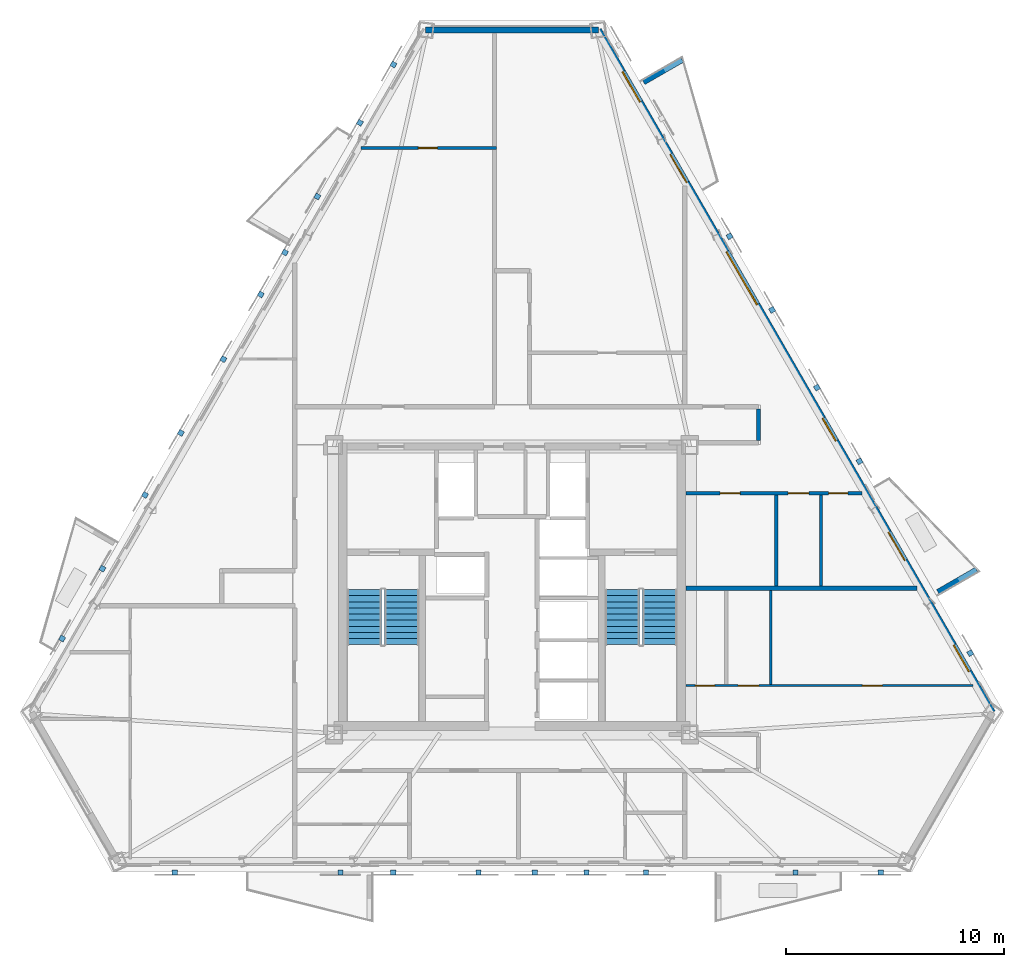
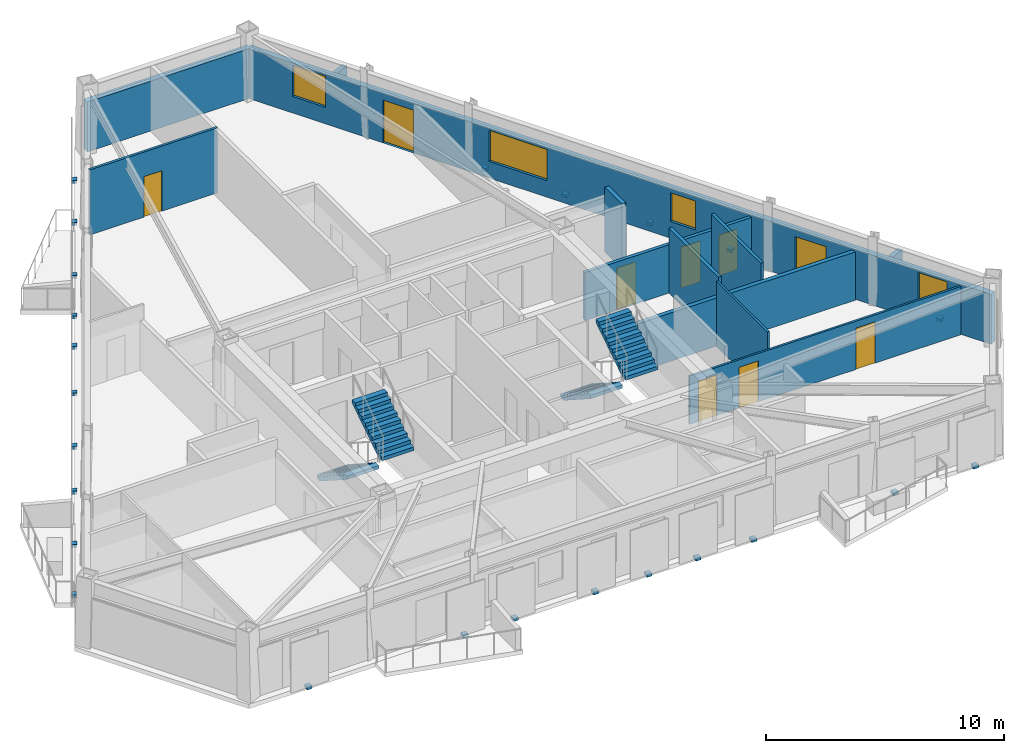
# One storey, part 5 of 9: 24 discrete accessories, 12 walls, 9 doors, 4 stair flights, 4 windows, 13 openings, 2 elements without a shape of their own.
"""IFC4 building model written with IfcOpenShell, lengths in metres."""

from ifc_helpers import new_model, si_unit, direction, frame, frame_2d, origin, origin_2d, place, context, subcontext, project, spatial, polyline, rectangle, outline, extrude, material, layer, layer_set, type_object, element, fill, aggregate, save


model = new_model("IFC4")

# Units and contexts
model_context = context("Model", 3, precision=1e-05, world=origin(), true_north=direction((0.0, 1.0)))
body_context = subcontext(model_context, "Body", "Model", "MODEL_VIEW")
ifc_project = project(units=[si_unit("LENGTHUNIT", "METRE"), si_unit("AREAUNIT", "SQUARE_METRE"), si_unit("VOLUMEUNIT", "CUBIC_METRE"), si_unit("PLANEANGLEUNIT", "RADIAN"), si_unit("MASSUNIT", "GRAM", prefix="KILO")], contexts=[model_context])

# Site, building, storey
site_placement = place(None, origin())
site = spatial("IfcSite", under=ifc_project, at=site_placement, CompositionType="ELEMENT")
building_placement = place(site_placement, origin())
building = spatial("IfcBuilding", under=site, at=building_placement, Name="Oramaril Tower", CompositionType="ELEMENT")
storey_placement = place(building_placement, frame((0.0, 0.0, 185.39990234375)))
storey = spatial("IfcBuildingStorey", under=building, at=storey_placement, Name="L49", CompositionType="ELEMENT", Elevation=185.39990234375)

# Wall, openings, doors, windows
ifc_material_1 = material(Name="Warm Cream Limestone", Category="masonry")
ifc_layer_1 = layer(ifc_material_1, 0.2900390625)
ifc_layer_set_1 = layer_set([ifc_layer_1], Name="WT-EXT29")
wall_type_1 = type_object("IfcWallType", Name="WT-EXT29", PredefinedType="SOLIDWALL", material=ifc_layer_set_1)
wall_1_placement = place(storey_placement, frame((59.518798828125, 11.961669921875, 0.0), z_axis=(0.0, 0.0, 1.0), x_axis=(-0.500007042689, 0.866021337648, 0.0)))
wall_1 = element("IfcWall", 1, at=wall_1_placement, inside=storey, type_object=wall_type_1, Name="L49 Tower Limestone Facade Wall 4M", PredefinedType="SOLIDWALL", context=body_context, shape_type="SweptSolid", body=[
    extrude(rectangle(XDim=36.11474609375, YDim=0.2900390625, at=frame_2d((18.057373046875, 0.0))), origin(), (0.0, 0.0, 1.0), 2.56005859375),
])
opening_1_placement = place(wall_1_placement, frame((8.034423828125, 0.0, 0.0)))
opening_1 = element("IfcOpeningElement", 2, at=opening_1_placement, cuts=wall_1, Name="Opening D-L49-BAL-NE1", PredefinedType="OPENING", context=body_context, shape_type="SweptSolid", body=[
    extrude(rectangle(XDim=1.5, YDim=2.199951171875, at=frame_2d((0.75, 1.10009765625))), frame((0.0, 0.14501953125, 0.0), z_axis=(0.0, -1.0, 0.0), x_axis=(1.0, 0.0, 0.0)), (0.0, 0.0, 1.0), 0.2900390625),
])
opening_2_placement = place(wall_1_placement, frame((28.035400390625, 0.0, 0.0)))
opening_2 = element("IfcOpeningElement", 3, at=opening_2_placement, cuts=wall_1, Name="Opening D-L49-BAL-NE2", PredefinedType="OPENING", context=body_context, shape_type="SweptSolid", body=[
    extrude(rectangle(XDim=1.5, YDim=2.199951171875, at=frame_2d((0.75, 1.10009765625))), frame((0.0, 0.14501953125, 0.0), z_axis=(0.0, -1.0, 0.0), x_axis=(1.0, 0.0, 0.0)), (0.0, 0.0, 1.0), 0.2900390625),
])
opening_3_placement = place(wall_1_placement, frame((2.160400390625, 0.0, 0.85009765625)))
opening_3 = element("IfcOpeningElement", 4, at=opening_3_placement, cuts=wall_1, Name="Opening WN-08", PredefinedType="OPENING", context=body_context, shape_type="SweptSolid", body=[
    extrude(rectangle(XDim=1.39990234375, YDim=1.60009765625, at=frame_2d((0.699951171875, 0.800048828125))), frame((0.0, 0.14501953125, 0.0), z_axis=(0.0, -1.0, 0.0), x_axis=(1.0, 0.0, 0.0)), (0.0, 0.0, 1.0), 0.2900390625),
])
opening_4_placement = place(wall_1_placement, frame((14.362548828125, 0.0, 0.85009765625)))
opening_4 = element("IfcOpeningElement", 5, at=opening_4_placement, cuts=wall_1, Name="Opening WN-09", PredefinedType="OPENING", context=body_context, shape_type="SweptSolid", body=[
    extrude(rectangle(XDim=1.199951171875, YDim=1.47998046875, at=frame_2d((0.60009765625, 0.739990234375))), frame((0.0, 0.14501953125, 0.0), z_axis=(0.0, -1.0, 0.0), x_axis=(1.0, 0.0, 0.0)), (0.0, 0.0, 1.0), 0.2900390625),
])
opening_5_placement = place(wall_1_placement, frame((21.57373046875, 0.0, 0.85009765625)))
opening_5 = element("IfcOpeningElement", 6, at=opening_5_placement, cuts=wall_1, Name="Opening WN-01", PredefinedType="OPENING", context=body_context, shape_type="SweptSolid", body=[
    extrude(rectangle(XDim=2.800048828125, YDim=1.60009765625, at=frame_2d((1.39990234375, 0.800048828125))), frame((0.0, 0.14501953125, 0.0), z_axis=(0.0, -1.0, 0.0), x_axis=(1.0, 0.0, 0.0)), (0.0, 0.0, 1.0), 0.2900390625),
])
opening_6_placement = place(wall_1_placement, frame((32.304443359375, 0.0, 0.85009765625)))
opening_6 = element("IfcOpeningElement", 7, at=opening_6_placement, cuts=wall_1, Name="Opening WN-07", PredefinedType="OPENING", context=body_context, shape_type="SweptSolid", body=[
    extrude(rectangle(XDim=1.60009765625, YDim=1.60009765625, at=frame_2d((0.800048828125, 0.800048828125))), frame((0.0, 0.14501953125, 0.0), z_axis=(0.0, -1.0, 0.0), x_axis=(1.0, 0.0, 0.0)), (0.0, 0.0, 1.0), 0.2900390625),
])
ifc_material_2 = material(Name="Anodised Aluminium 6063-T6", Category="aluminium")
door_type_1 = type_object("IfcDoorType", Name="DT-BAL", OperationType="NOTDEFINED", PredefinedType="DOOR", material=ifc_material_2)
door_1_placement = place(opening_1_placement, origin())
door_1 = element("IfcDoor", 8, at=door_1_placement, inside=storey, type_object=door_type_1, Name="L49 Balcony Glazed Door L49-BAL-NE1", OperationType="SINGLE_SWING_RIGHT", OverallHeight=2.199951171875, OverallWidth=1.5, PredefinedType="DOOR", context=body_context, shape_type="SweptSolid", body=[
    extrude(rectangle(XDim=1.5, YDim=2.199951171875, at=frame_2d((0.75, 1.10009765625))), frame((0.0, 0.02490234375, 0.0), z_axis=(0.0, -1.0, 0.0), x_axis=(1.0, 0.0, 0.0)), (0.0, 0.0, 1.0), 0.050048828125),
])
fill(opening_1, door_1)
door_2_placement = place(opening_2_placement, origin())
door_2 = element("IfcDoor", 9, at=door_2_placement, inside=storey, type_object=door_type_1, Name="L49 Balcony Glazed Door L49-BAL-NE2", OperationType="SINGLE_SWING_LEFT", OverallHeight=2.199951171875, OverallWidth=1.5, PredefinedType="DOOR", context=body_context, shape_type="SweptSolid", body=[
    extrude(rectangle(XDim=1.5, YDim=2.199951171875, at=frame_2d((0.75, 1.10009765625))), frame((0.0, 0.02490234375, 0.0), z_axis=(0.0, -1.0, 0.0), x_axis=(1.0, 0.0, 0.0)), (0.0, 0.0, 1.0), 0.050048828125),
])
fill(opening_2, door_2)
ifc_material_3 = material(Name="Coastal Low-E Insulated Glass", Category="glass")
window_type_1 = type_object("IfcWindowType", Name="WNT-01", PartitioningType="SINGLE_PANEL", PredefinedType="WINDOW", material=ifc_material_3)
window_1_placement = place(opening_5_placement, origin())
window_1 = element("IfcWindow", 10, at=window_1_placement, inside=storey, type_object=window_type_1, Name="L49 Chicago Bay Window WN-01", OverallHeight=1.60009765625, OverallWidth=2.800048828125, PartitioningType="SINGLE_PANEL", PredefinedType="WINDOW", context=body_context, shape_type="SweptSolid", body=[
    extrude(rectangle(XDim=2.800048828125, YDim=1.60009765625, at=frame_2d((1.39990234375, 0.800048828125))), frame((0.0, 0.030029296875, 0.0), z_axis=(0.0, -1.0, 0.0), x_axis=(1.0, 0.0, 0.0)), (0.0, 0.0, 1.0), 0.06005859375),
])
fill(opening_5, window_1)
ifc_material_4 = material(Name="Coastal Low-E Insulated Glass", Category="glass")
window_type_2 = type_object("IfcWindowType", Name="WNT-07", PartitioningType="SINGLE_PANEL", PredefinedType="WINDOW", material=ifc_material_4)
window_2_placement = place(opening_6_placement, origin())
window_2 = element("IfcWindow", 11, at=window_2_placement, inside=storey, type_object=window_type_2, Name="L49 Chicago Bay Window WN-07", OverallHeight=1.60009765625, OverallWidth=1.60009765625, PartitioningType="SINGLE_PANEL", PredefinedType="WINDOW", context=body_context, shape_type="SweptSolid", body=[
    extrude(rectangle(XDim=1.60009765625, YDim=1.60009765625, at=frame_2d((0.800048828125, 0.800048828125))), frame((0.0, 0.030029296875, 0.0), z_axis=(0.0, -1.0, 0.0), x_axis=(1.0, 0.0, 0.0)), (0.0, 0.0, 1.0), 0.06005859375),
])
fill(opening_6, window_2)
ifc_material_5 = material(Name="Coastal Low-E Insulated Glass", Category="glass")
window_type_3 = type_object("IfcWindowType", Name="WNT-08", PartitioningType="SINGLE_PANEL", PredefinedType="WINDOW", material=ifc_material_5)
window_3_placement = place(opening_3_placement, origin())
window_3 = element("IfcWindow", 12, at=window_3_placement, inside=storey, type_object=window_type_3, Name="L49 Chicago Bay Window WN-08", OverallHeight=1.60009765625, OverallWidth=1.39990234375, PartitioningType="SINGLE_PANEL", PredefinedType="WINDOW", context=body_context, shape_type="SweptSolid", body=[
    extrude(rectangle(XDim=1.39990234375, YDim=1.60009765625, at=frame_2d((0.699951171875, 0.800048828125))), frame((0.0, 0.030029296875, 0.0), z_axis=(0.0, -1.0, 0.0), x_axis=(1.0, 0.0, 0.0)), (0.0, 0.0, 1.0), 0.06005859375),
])
fill(opening_3, window_3)
ifc_material_6 = material(Name="Coastal Low-E Insulated Glass", Category="glass")
window_type_4 = type_object("IfcWindowType", Name="WNT-09", PartitioningType="SINGLE_PANEL", PredefinedType="WINDOW", material=ifc_material_6)
window_4_placement = place(opening_4_placement, origin())
window_4 = element("IfcWindow", 13, at=window_4_placement, inside=storey, type_object=window_type_4, Name="L49 Chicago Bay Window WN-09", OverallHeight=1.47998046875, OverallWidth=1.199951171875, PartitioningType="SINGLE_PANEL", PredefinedType="WINDOW", context=body_context, shape_type="SweptSolid", body=[
    extrude(rectangle(XDim=1.199951171875, YDim=1.47998046875, at=frame_2d((0.60009765625, 0.739990234375))), frame((0.0, 0.030029296875, 0.0), z_axis=(0.0, -1.0, 0.0), x_axis=(1.0, 0.0, 0.0)), (0.0, 0.0, 1.0), 0.06005859375),
])
fill(opening_4, window_4)

# Walls
wall_2_placement = place(storey_placement, frame((41.461181640625, 43.23779296875, 0.0), z_axis=(0.0, 0.0, 1.0), x_axis=(-1.0, 0.0, 0.0)))
element("IfcWall", 14, at=wall_2_placement, inside=storey, type_object=wall_type_1, Name="L49 Tower Limestone Facade Wall 5M", PredefinedType="SOLIDWALL", context=body_context, shape_type="SweptSolid", body=[
    extrude(rectangle(XDim=7.92236328125, YDim=0.2900390625, at=frame_2d((3.961181640625, 0.0))), origin(), (0.0, 0.0, 1.0), 2.56005859375),
])
ifc_material_7 = material(Name="Concrete C40/50", Category="concrete")
ifc_layer_2 = layer(ifc_material_7, 0.22998046875)
ifc_layer_set_2 = layer_set([ifc_layer_2], Name="WT-PRP23")
wall_type_2 = type_object("IfcWallType", Name="WT-PRP23", PredefinedType="PARAPET", material=ifc_layer_set_2)
for number, where, z_axis, x_axis, name in (
    (15, (57.016845703125, 17.490966796875, 0.0), (0.0, 0.0, 1.0), (0.866042246008, 0.499970827278, 0.0), "L49 Trapezoidal Balcony Frame Cheek L49-BAL-NE1-L"),
    (16, (43.536376953125, 40.839599609375, 0.0), (0.0, 0.0, 1.0), (0.866012356593, 0.500022597718, 0.0), "L49 Trapezoidal Balcony Frame Cheek L49-BAL-NE2-R"),
):
    element("IfcWall", number, at=place(storey_placement, frame(where, z_axis=z_axis, x_axis=x_axis)), inside=storey, type_object=wall_type_2, Name=name, PredefinedType="PARAPET", context=body_context, shape_type="SweptSolid", body=[
        extrude(outline(polyline([(0.0, 0.0), (2.0419921875, 0.0), (2.0419921875, 1.10009765625), (0.0, 1.320068359375), (0.0, 0.0)])), frame((0.0, 0.114990234375, 0.0), z_axis=(0.0, -1.0, 0.0), x_axis=(1.0, 0.0, 0.0)), (0.0, 0.0, 1.0), 0.22998046875),
    ])

# Wall, openings, doors
ifc_material_8 = material(Name="Acoustic Gypsum Board Partition")
ifc_layer_3 = layer(ifc_material_8, 0.10009765625)
ifc_layer_set_3 = layer_set([ifc_layer_3], Name="WT-PT10")
wall_type_3 = type_object("IfcWallType", Name="WT-PT10", PredefinedType="PARTITIONING", material=ifc_layer_set_3)
wall_3_placement = place(storey_placement, frame((45.464111328125, 13.18994140625, 0.0), z_axis=(0.0, 0.0, 1.0), x_axis=(1.0, 0.0, 0.0)))
wall_3 = element("IfcWall", 17, at=wall_3_placement, inside=storey, type_object=wall_type_3, Name="L49 Interior Partition PT-10", PredefinedType="PARTITIONING", context=body_context, shape_type="SweptSolid", body=[
    extrude(rectangle(XDim=13.17333984375, YDim=0.10009765625, at=frame_2d((6.586669921875, 0.0))), origin(), (0.0, 0.0, 1.0), 2.47998046875),
])
opening_7_placement = place(wall_3_placement, frame((0.446044921875, 0.0, 0.0)))
opening_7 = element("IfcOpeningElement", 18, at=opening_7_placement, cuts=wall_3, Name="Opening D-L49-06", PredefinedType="OPENING", context=body_context, shape_type="SweptSolid", body=[
    extrude(rectangle(XDim=0.8798828125, YDim=2.080078125, at=frame_2d((0.43994140625, 1.0400390625))), frame((0.0, 0.050048828125, 0.0), z_axis=(0.0, -1.0, 0.0), x_axis=(1.0, 0.0, 0.0)), (0.0, 0.0, 1.0), 0.10009765625),
])
opening_8_placement = place(wall_3_placement, frame((2.39599609375, 0.0, 0.0)))
opening_8 = element("IfcOpeningElement", 19, at=opening_8_placement, cuts=wall_3, Name="Opening D-L49-07", PredefinedType="OPENING", context=body_context, shape_type="SweptSolid", body=[
    extrude(rectangle(XDim=0.949951171875, YDim=2.10009765625, at=frame_2d((0.47509765625, 1.050048828125))), frame((0.0, 0.050048828125, 0.0), z_axis=(0.0, -1.0, 0.0), x_axis=(1.0, 0.0, 0.0)), (0.0, 0.0, 1.0), 0.10009765625),
])
opening_9_placement = place(wall_3_placement, frame((8.09033203125, 0.0, 0.0)))
opening_9 = element("IfcOpeningElement", 20, at=opening_9_placement, cuts=wall_3, Name="Opening D-L49-08", PredefinedType="OPENING", context=body_context, shape_type="SweptSolid", body=[
    extrude(rectangle(XDim=0.919921875, YDim=2.1201171875, at=frame_2d((0.4599609375, 1.06005859375))), frame((0.0, 0.050048828125, 0.0), z_axis=(0.0, -1.0, 0.0), x_axis=(1.0, 0.0, 0.0)), (0.0, 0.0, 1.0), 0.10009765625),
])
ifc_material_9 = material(Name="FSC Brazilian Freijo Hardwood", Category="wood")
door_type_2 = type_object("IfcDoorType", Name="DT-BATH", OperationType="NOTDEFINED", PredefinedType="DOOR", material=ifc_material_9)
door_3_placement = place(opening_7_placement, origin())
door_3 = element("IfcDoor", 21, at=door_3_placement, inside=storey, type_object=door_type_2, Name="L49 Flat L49-U5 Bathroom Door D-L49-06", OperationType="SINGLE_SWING_LEFT", OverallHeight=2.080078125, OverallWidth=0.8798828125, PredefinedType="DOOR", context=body_context, shape_type="SweptSolid", body=[
    extrude(rectangle(XDim=0.8798828125, YDim=2.080078125, at=frame_2d((0.43994140625, 1.0400390625))), frame((0.0, 0.02490234375, 0.0), z_axis=(0.0, -1.0, 0.0), x_axis=(1.0, 0.0, 0.0)), (0.0, 0.0, 1.0), 0.050048828125),
])
fill(opening_7, door_3)
ifc_material_10 = material(Name="FSC Brazilian Freijo Hardwood", Category="wood")
door_type_3 = type_object("IfcDoorType", Name="DT-BED", OperationType="NOTDEFINED", PredefinedType="DOOR", material=ifc_material_10)
door_4_placement = place(opening_9_placement, origin())
door_4 = element("IfcDoor", 22, at=door_4_placement, inside=storey, type_object=door_type_3, Name="L49 Flat L49-U5 Master Bedroom Door D-L49-08", OperationType="SINGLE_SWING_LEFT", OverallHeight=2.1201171875, OverallWidth=0.919921875, PredefinedType="DOOR", context=body_context, shape_type="SweptSolid", body=[
    extrude(rectangle(XDim=0.919921875, YDim=2.1201171875, at=frame_2d((0.4599609375, 1.06005859375))), frame((0.0, 0.02490234375, 0.0), z_axis=(0.0, -1.0, 0.0), x_axis=(1.0, 0.0, 0.0)), (0.0, 0.0, 1.0), 0.050048828125),
])
fill(opening_9, door_4)
ifc_material_11 = material(Name="FSC Brazilian Freijo Hardwood", Category="wood")
door_type_4 = type_object("IfcDoorType", Name="DT-STDY", OperationType="NOTDEFINED", PredefinedType="DOOR", material=ifc_material_11)
door_5_placement = place(opening_8_placement, origin())
door_5 = element("IfcDoor", 23, at=door_5_placement, inside=storey, type_object=door_type_4, Name="L49 Flat L49-U5 Kitchen Door D-L49-07", OperationType="SINGLE_SWING_RIGHT", OverallHeight=2.10009765625, OverallWidth=0.949951171875, PredefinedType="DOOR", context=body_context, shape_type="SweptSolid", body=[
    extrude(rectangle(XDim=0.949951171875, YDim=2.10009765625, at=frame_2d((0.47509765625, 1.050048828125))), frame((0.0, 0.02490234375, 0.0), z_axis=(0.0, -1.0, 0.0), x_axis=(1.0, 0.0, 0.0)), (0.0, 0.0, 1.0), 0.050048828125),
])
fill(opening_8, door_5)

# Wall
wall_4_placement = place(storey_placement, frame((49.360107421875, 13.243896484375, 0.0), z_axis=(0.0, 0.0, 1.0), x_axis=(0.0, 1.0, 0.0)))
element("IfcWall", 24, at=wall_4_placement, inside=storey, type_object=wall_type_3, Name="L49 Interior Partition PT-10", PredefinedType="PARTITIONING", context=body_context, shape_type="SweptSolid", body=[
    extrude(rectangle(XDim=4.302001953125, YDim=0.10009765625, at=frame_2d((2.15087890625, 0.0))), origin(), (0.0, 0.0, 1.0), 3.340087890625),
])

# Wall, opening, door
ifc_material_12 = material(Name="Acoustic Gypsum Board Partition")
ifc_layer_4 = layer(ifc_material_12, 0.1201171875)
ifc_layer_set_4 = layer_set([ifc_layer_4], Name="WT-PT12")
wall_type_4 = type_object("IfcWallType", Name="WT-PT12", PredefinedType="PARTITIONING", material=ifc_layer_set_4)
wall_5_placement = place(storey_placement, frame((30.58837890625, 37.830078125, 0.0), z_axis=(0.0, 0.0, 1.0), x_axis=(1.0, 0.0, 0.0)))
wall_5 = element("IfcWall", 25, at=wall_5_placement, inside=storey, type_object=wall_type_4, Name="L49 Interior Partition PT-12", PredefinedType="PARTITIONING", context=body_context, shape_type="SweptSolid", body=[
    extrude(rectangle(XDim=6.193603515625, YDim=0.1201171875, at=frame_2d((3.0966796875, 0.0))), origin(), (0.0, 0.0, 1.0), 3.340087890625),
])
opening_10_placement = place(wall_5_placement, frame((2.616455078125, 0.0, 0.0)))
opening_10 = element("IfcOpeningElement", 26, at=opening_10_placement, cuts=wall_5, Name="Opening D-L49-16", PredefinedType="OPENING", context=body_context, shape_type="SweptSolid", body=[
    extrude(rectangle(XDim=0.8798828125, YDim=2.080078125, at=frame_2d((0.43994140625, 1.0400390625))), frame((0.0, 0.06005859375, 0.0), z_axis=(0.0, -1.0, 0.0), x_axis=(1.0, 0.0, 0.0)), (0.0, 0.0, 1.0), 0.1201171875),
])
door_6_placement = place(opening_10_placement, origin())
door_6 = element("IfcDoor", 27, at=door_6_placement, inside=storey, type_object=door_type_2, Name="L49 Flat L49-U7 Bathroom Door D-L49-16", OperationType="SINGLE_SWING_LEFT", OverallHeight=2.080078125, OverallWidth=0.8798828125, PredefinedType="DOOR", context=body_context, shape_type="SweptSolid", body=[
    extrude(rectangle(XDim=0.8798828125, YDim=2.080078125, at=frame_2d((0.43994140625, 1.0400390625))), frame((0.0, 0.02490234375, 0.0), z_axis=(0.0, -1.0, 0.0), x_axis=(1.0, 0.0, 0.0)), (0.0, 0.0, 1.0), 0.050048828125),
])
fill(opening_10, door_6)

# Wall
ifc_material_13 = material(Name="Acoustic Gypsum Board Partition")
ifc_layer_5 = layer(ifc_material_13, 0.139892578125)
ifc_layer_set_5 = layer_set([ifc_layer_5], Name="WT-PT14")
wall_type_5 = type_object("IfcWallType", Name="WT-PT14", PredefinedType="PARTITIONING", material=ifc_layer_set_5)
wall_6_placement = place(storey_placement, frame((51.659912109375, 17.75390625, 0.0), z_axis=(0.0, 0.0, 1.0), x_axis=(0.0, 1.0, 0.0)))
element("IfcWall", 28, at=wall_6_placement, inside=storey, type_object=wall_type_5, Name="L49 Interior Partition PT-14", PredefinedType="PARTITIONING", context=body_context, shape_type="SweptSolid", body=[
    extrude(rectangle(XDim=4.162109375, YDim=0.139892578125, at=frame_2d((2.0810546875, 0.0))), origin(), (0.0, 0.0, 1.0), 3.340087890625),
])

# Wall, openings, doors
ifc_material_14 = material(Name="Acoustic Gypsum Board Partition")
ifc_layer_6 = layer(ifc_material_14, 0.159912109375)
ifc_layer_set_6 = layer_set([ifc_layer_6], Name="WT-PT16")
wall_type_6 = type_object("IfcWallType", Name="WT-PT16", PredefinedType="PARTITIONING", material=ifc_layer_set_6)
wall_7_placement = place(storey_placement, frame((45.464111328125, 22.0, 0.0), z_axis=(0.0, 0.0, 1.0), x_axis=(1.0, 0.0, 0.0)))
wall_7 = element("IfcWall", 29, at=wall_7_placement, inside=storey, type_object=wall_type_6, Name="L49 Interior Partition PT-16", PredefinedType="PARTITIONING", context=body_context, shape_type="SweptSolid", body=[
    extrude(rectangle(XDim=8.0869140625, YDim=0.159912109375, at=frame_2d((4.04345703125, 0.0))), origin(), (0.0, 0.0, 1.0), 2.47998046875),
])
opening_11_placement = place(wall_7_placement, frame((1.575927734375, 0.0, 0.0)))
opening_11 = element("IfcOpeningElement", 30, at=opening_11_placement, cuts=wall_7, Name="Opening D-L49-09", PredefinedType="OPENING", context=body_context, shape_type="SweptSolid", body=[
    extrude(rectangle(XDim=0.919921875, YDim=2.1201171875, at=frame_2d((0.4599609375, 1.06005859375))), frame((0.0, 0.080078125, 0.0), z_axis=(0.0, -1.0, 0.0), x_axis=(1.0, 0.0, 0.0)), (0.0, 0.0, 1.0), 0.159912109375),
])
opening_12_placement = place(wall_7_placement, frame((4.69580078125, 0.0, 0.0)))
opening_12 = element("IfcOpeningElement", 31, at=opening_12_placement, cuts=wall_7, Name="Opening D-L49-10", PredefinedType="OPENING", context=body_context, shape_type="SweptSolid", body=[
    extrude(rectangle(XDim=0.949951171875, YDim=2.10009765625, at=frame_2d((0.47509765625, 1.050048828125))), frame((0.0, 0.080078125, 0.0), z_axis=(0.0, -1.0, 0.0), x_axis=(1.0, 0.0, 0.0)), (0.0, 0.0, 1.0), 0.159912109375),
])
opening_13_placement = place(wall_7_placement, frame((6.5458984375, 0.0, 0.0)))
opening_13 = element("IfcOpeningElement", 32, at=opening_13_placement, cuts=wall_7, Name="Opening D-L49-11", PredefinedType="OPENING", context=body_context, shape_type="SweptSolid", body=[
    extrude(rectangle(XDim=0.8798828125, YDim=2.080078125, at=frame_2d((0.43994140625, 1.0400390625))), frame((0.0, 0.080078125, 0.0), z_axis=(0.0, -1.0, 0.0), x_axis=(1.0, 0.0, 0.0)), (0.0, 0.0, 1.0), 0.159912109375),
])
door_7_placement = place(opening_13_placement, origin())
door_7 = element("IfcDoor", 33, at=door_7_placement, inside=storey, type_object=door_type_2, Name="L49 Flat L49-U6 Bathroom Door D-L49-11", OperationType="SINGLE_SWING_RIGHT", OverallHeight=2.080078125, OverallWidth=0.8798828125, PredefinedType="DOOR", context=body_context, shape_type="SweptSolid", body=[
    extrude(rectangle(XDim=0.8798828125, YDim=2.080078125, at=frame_2d((0.43994140625, 1.0400390625))), frame((0.0, 0.02490234375, 0.0), z_axis=(0.0, -1.0, 0.0), x_axis=(1.0, 0.0, 0.0)), (0.0, 0.0, 1.0), 0.050048828125),
])
fill(opening_13, door_7)
door_8_placement = place(opening_11_placement, origin())
door_8 = element("IfcDoor", 34, at=door_8_placement, inside=storey, type_object=door_type_3, Name="L49 Flat L49-U6 Master Bedroom Door D-L49-09", OperationType="SINGLE_SWING_RIGHT", OverallHeight=2.1201171875, OverallWidth=0.919921875, PredefinedType="DOOR", context=body_context, shape_type="SweptSolid", body=[
    extrude(rectangle(XDim=0.919921875, YDim=2.1201171875, at=frame_2d((0.4599609375, 1.06005859375))), frame((0.0, 0.02490234375, 0.0), z_axis=(0.0, -1.0, 0.0), x_axis=(1.0, 0.0, 0.0)), (0.0, 0.0, 1.0), 0.050048828125),
])
fill(opening_11, door_8)
door_9_placement = place(opening_12_placement, origin())
door_9 = element("IfcDoor", 35, at=door_9_placement, inside=storey, type_object=door_type_4, Name="L49 Flat L49-U6 Kitchen Door D-L49-10", OperationType="SINGLE_SWING_LEFT", OverallHeight=2.10009765625, OverallWidth=0.949951171875, PredefinedType="DOOR", context=body_context, shape_type="SweptSolid", body=[
    extrude(rectangle(XDim=0.949951171875, YDim=2.10009765625, at=frame_2d((0.47509765625, 1.050048828125))), frame((0.0, 0.02490234375, 0.0), z_axis=(0.0, -1.0, 0.0), x_axis=(1.0, 0.0, 0.0)), (0.0, 0.0, 1.0), 0.050048828125),
])
fill(opening_12, door_9)

# Walls
wall_8_placement = place(storey_placement, frame((49.610107421875, 17.75390625, 0.0), z_axis=(0.0, 0.0, 1.0), x_axis=(0.0, 1.0, 0.0)))
element("IfcWall", 36, at=wall_8_placement, inside=storey, type_object=wall_type_6, Name="L49 Interior Partition PT-16", PredefinedType="PARTITIONING", context=body_context, shape_type="SweptSolid", body=[
    extrude(rectangle(XDim=4.162109375, YDim=0.159912109375, at=frame_2d((2.0810546875, 0.0))), origin(), (0.0, 0.0, 1.0), 3.340087890625),
])
ifc_material_15 = material(Name="Autoclaved Cellular Concrete Block", Category="concrete")
ifc_layer_7 = layer(ifc_material_15, 0.199951171875)
ifc_layer_set_7 = layer_set([ifc_layer_7], Name="WT-PT20")
wall_type_7 = type_object("IfcWallType", Name="WT-PT20", PredefinedType="PARTITIONING", material=ifc_layer_set_7)
wall_9_placement = place(storey_placement, frame((45.464111328125, 17.64990234375, 0.0), z_axis=(0.0, 0.0, 1.0), x_axis=(1.0, 0.0, 0.0)))
element("IfcWall", 37, at=wall_9_placement, inside=storey, type_object=wall_type_7, Name="L49 Interior Partition PT-20", PredefinedType="PARTITIONING", context=body_context, shape_type="SweptSolid", body=[
    extrude(rectangle(XDim=10.598388671875, YDim=0.199951171875, at=frame_2d((5.29931640625, 0.0))), origin(), (0.0, 0.0, 1.0), 2.47998046875),
])
wall_10_placement = place(storey_placement, frame((48.800048828125, 24.424072265625, 0.0), z_axis=(0.0, 0.0, 1.0), x_axis=(0.0, 1.0, 0.0)))
element("IfcWall", 38, at=wall_10_placement, inside=storey, type_object=wall_type_7, Name="L49 Interior Partition PT-20", PredefinedType="PARTITIONING", context=body_context, shape_type="SweptSolid", body=[
    extrude(rectangle(XDim=1.44189453125, YDim=0.199951171875, at=frame_2d((0.720947265625, 0.0))), origin(), (0.0, 0.0, 1.0), 3.340087890625),
])

# Stair, stair flights
ifc_material_16 = material(Name="Concrete C50/60", Category="concrete")
stair_type = type_object("IfcStairType", Name="STT-DG-3600", PredefinedType="HALF_TURN_STAIR", material=ifc_material_16)
stair_1_placement = place(storey_placement, origin())
stair_1 = element("IfcStair", 39, at=stair_1_placement, inside=storey, type_object=stair_type, Name="L49 Protected PFP Exit Stair ST-1", PredefinedType="HALF_TURN_STAIR")
ifc_material_17 = material(Name="Concrete C50/60", Category="concrete")
stair_flight_type = type_object("IfcStairFlightType", Name="SFT-DG-3600", PredefinedType="STRAIGHT", material=ifc_material_17)
stair_flight_1_placement = place(storey_placement, frame((30.72998046875, 17.590087890625, 0.0), z_axis=(0.0, 0.0, 1.0), x_axis=(0.0, -1.0, 0.0)))
stair_flight_1 = element("IfcStairFlight", 40, at=stair_flight_1_placement, type_object=stair_flight_type, Name="ST-1 flight 1", NumberOfRisers=10, NumberOfTreads=9, PredefinedType="STRAIGHT", RiserHeight=0.18, TreadLength=0.28, context=body_context, shape_type="SweptSolid", body=[
    extrude(outline(polyline([(0.0, 0.0), (0.0, 0.179931640625), (0.280029296875, 0.179931640625), (0.280029296875, 0.360107421875), (0.56005859375, 0.360107421875), (0.56005859375, 0.5400390625), (0.840087890625, 0.5400390625), (0.840087890625, 0.719970703125), (1.1201171875, 0.719970703125), (1.1201171875, 0.89990234375), (1.39990234375, 0.89990234375), (1.39990234375, 1.080078125), (1.679931640625, 1.080078125), (1.679931640625, 1.260009765625), (1.9599609375, 1.260009765625), (1.9599609375, 1.43994140625), (2.239990234375, 1.43994140625), (2.239990234375, 1.6201171875), (2.52001953125, 1.6201171875), (2.52001953125, 1.800048828125), (2.52001953125, 1.44189453125), (0.277099609375, 0.0), (0.0, 0.0)])), frame((0.0, 0.780029296875, 0.0), z_axis=(0.0, -1.0, 0.0), x_axis=(1.0, 0.0, 0.0)), (0.0, 0.0, 1.0), 1.56005859375),
])
stair_flight_2_placement = place(storey_placement, frame((32.43994140625, 15.070068359375, 1.800048828125), z_axis=(0.0, 0.0, 1.0), x_axis=(0.0, 1.0, 0.0)))
stair_flight_2 = element("IfcStairFlight", 41, at=stair_flight_2_placement, type_object=stair_flight_type, Name="ST-1 flight 2", NumberOfRisers=10, NumberOfTreads=9, PredefinedType="STRAIGHT", RiserHeight=0.18, TreadLength=0.28, context=body_context, shape_type="SweptSolid", body=[
    extrude(outline(polyline([(0.0, 0.0), (0.0, 0.179931640625), (0.280029296875, 0.179931640625), (0.280029296875, 0.360107421875), (0.56005859375, 0.360107421875), (0.56005859375, 0.5400390625), (0.840087890625, 0.5400390625), (0.840087890625, 0.719970703125), (1.1201171875, 0.719970703125), (1.1201171875, 0.89990234375), (1.39990234375, 0.89990234375), (1.39990234375, 1.080078125), (1.679931640625, 1.080078125), (1.679931640625, 1.260009765625), (1.9599609375, 1.260009765625), (1.9599609375, 1.43994140625), (2.239990234375, 1.43994140625), (2.239990234375, 1.6201171875), (2.52001953125, 1.6201171875), (2.52001953125, 1.800048828125), (2.52001953125, 1.44189453125), (0.277099609375, 0.0), (0.0, 0.0)])), frame((0.0, 0.780029296875, 0.0), z_axis=(0.0, -1.0, 0.0), x_axis=(1.0, 0.0, 0.0)), (0.0, 0.0, 1.0), 1.56005859375),
])
aggregate(stair_1, [stair_flight_1, stair_flight_2])

stair_2_placement = place(storey_placement, origin())
stair_2 = element("IfcStair", 42, at=stair_2_placement, inside=storey, type_object=stair_type, Name="L49 Protected PFP Exit Stair ST-2", PredefinedType="HALF_TURN_STAIR")
stair_flight_3_placement = place(storey_placement, frame((42.56005859375, 17.590087890625, 0.0), z_axis=(0.0, 0.0, 1.0), x_axis=(0.0, -1.0, 0.0)))
stair_flight_3 = element("IfcStairFlight", 43, at=stair_flight_3_placement, type_object=stair_flight_type, Name="ST-2 flight 1", NumberOfRisers=10, NumberOfTreads=9, PredefinedType="STRAIGHT", RiserHeight=0.18, TreadLength=0.28, context=body_context, shape_type="SweptSolid", body=[
    extrude(outline(polyline([(0.0, 0.0), (0.0, 0.179931640625), (0.280029296875, 0.179931640625), (0.280029296875, 0.360107421875), (0.56005859375, 0.360107421875), (0.56005859375, 0.5400390625), (0.840087890625, 0.5400390625), (0.840087890625, 0.719970703125), (1.1201171875, 0.719970703125), (1.1201171875, 0.89990234375), (1.39990234375, 0.89990234375), (1.39990234375, 1.080078125), (1.679931640625, 1.080078125), (1.679931640625, 1.260009765625), (1.9599609375, 1.260009765625), (1.9599609375, 1.43994140625), (2.239990234375, 1.43994140625), (2.239990234375, 1.6201171875), (2.52001953125, 1.6201171875), (2.52001953125, 1.800048828125), (2.52001953125, 1.44189453125), (0.277099609375, 0.0), (0.0, 0.0)])), frame((0.0, 0.780029296875, 0.0), z_axis=(0.0, -1.0, 0.0), x_axis=(1.0, 0.0, 0.0)), (0.0, 0.0, 1.0), 1.56005859375),
])
stair_flight_4_placement = place(storey_placement, frame((44.27001953125, 15.070068359375, 1.800048828125), z_axis=(0.0, 0.0, 1.0), x_axis=(0.0, 1.0, 0.0)))
stair_flight_4 = element("IfcStairFlight", 44, at=stair_flight_4_placement, type_object=stair_flight_type, Name="ST-2 flight 2", NumberOfRisers=10, NumberOfTreads=9, PredefinedType="STRAIGHT", RiserHeight=0.18, TreadLength=0.28, context=body_context, shape_type="SweptSolid", body=[
    extrude(outline(polyline([(0.0, 0.0), (0.0, 0.179931640625), (0.280029296875, 0.179931640625), (0.280029296875, 0.360107421875), (0.56005859375, 0.360107421875), (0.56005859375, 0.5400390625), (0.840087890625, 0.5400390625), (0.840087890625, 0.719970703125), (1.1201171875, 0.719970703125), (1.1201171875, 0.89990234375), (1.39990234375, 0.89990234375), (1.39990234375, 1.080078125), (1.679931640625, 1.080078125), (1.679931640625, 1.260009765625), (1.9599609375, 1.260009765625), (1.9599609375, 1.43994140625), (2.239990234375, 1.43994140625), (2.239990234375, 1.6201171875), (2.52001953125, 1.6201171875), (2.52001953125, 1.800048828125), (2.52001953125, 1.44189453125), (0.277099609375, 0.0), (0.0, 0.0)])), frame((0.0, 0.780029296875, 0.0), z_axis=(0.0, -1.0, 0.0), x_axis=(1.0, 0.0, 0.0)), (0.0, 0.0, 1.0), 1.56005859375),
])
aggregate(stair_2, [stair_flight_3, stair_flight_4])

# Discrete accessories
for number, where, z_axis, x_axis, name in (
    (45, (32.0595703125, 4.620361328125, -0.1396484375), (0.0, 0.0, 1.0), (1.0, 0.0, 0.0), "L49 Solar Screen Slab Bracket"),
    (46, (35.959716796875, 4.620361328125, -0.1396484375), (0.0, 0.0, 1.0), (1.0, 0.0, 0.0), "L49 Solar Screen Slab Bracket"),
    (47, (38.540283203125, 4.620361328125, -0.1396484375), (0.0, 0.0, 1.0), (1.0, 0.0, 0.0), "L49 Solar Screen Slab Bracket"),
    (48, (29.635009765625, 4.620361328125, -0.1396484375), (0.0, 0.0, 1.0), (1.0, 0.0, 0.0), "L49 Solar Screen Slab Bracket"),
    (49, (40.910400390625, 4.620361328125, -0.1396484375), (0.0, 0.0, 1.0), (1.0, 0.0, 0.0), "L49 Solar Screen Slab Bracket"),
    (50, (43.635986328125, 4.620361328125, -0.1396484375), (0.0, 0.0, 1.0), (1.0, 0.0, 0.0), "L49 Solar Screen Slab Bracket"),
    (51, (22.045166015625, 4.620361328125, -0.1396484375), (0.0, 0.0, 1.0), (1.0, 0.0, 0.0), "L49 Solar Screen Slab Bracket"),
    (52, (50.497314453125, 4.620361328125, -0.1396484375), (0.0, 0.0, 1.0), (1.0, 0.0, 0.0), "L49 Solar Screen Slab Bracket"),
    (53, (54.3974609375, 4.620361328125, -0.1396484375), (0.0, 0.0, 1.0), (1.0, 0.0, 0.0), "L49 Solar Screen Slab Bracket"),
    (54, (58.50439453125, 14.6787109375, -0.1396484375), (0.0, 0.0, 1.0), (-0.5, 0.866025403784, 0.0), "L49 Solar Screen Slab Bracket"),
    (55, (53.427978515625, 23.470947265625, -0.1396484375), (0.0, 0.0, 1.0), (-0.5, 0.866025403784, 0.0), "L49 Solar Screen Slab Bracket"),
    (56, (51.47802734375, 26.848388671875, -0.1396484375), (0.0, 0.0, 1.0), (-0.5, 0.866025403784, 0.0), "L49 Solar Screen Slab Bracket"),
    (57, (49.422607421875, 30.40869140625, -0.1396484375), (0.0, 0.0, 1.0), (-0.5, 0.866025403784, 0.0), "L49 Solar Screen Slab Bracket"),
    (58, (47.472412109375, 33.786376953125, -0.1396484375), (0.0, 0.0, 1.0), (-0.5, 0.866025403784, 0.0), "L49 Solar Screen Slab Bracket"),
    (59, (16.882568359375, 15.3486328125, -0.1396484375), (0.0, 0.0, 1.0), (-0.5, -0.866025403784, 0.0), "L49 Solar Screen Slab Bracket"),
    (60, (24.273681640625, 28.150634765625, -0.1396484375), (0.0, 0.0, 1.0), (-0.5, -0.866025403784, 0.0), "L49 Solar Screen Slab Bracket"),
    (61, (22.32373046875, 24.773193359375, -0.1396484375), (0.0, 0.0, 1.0), (-0.5, -0.866025403784, 0.0), "L49 Solar Screen Slab Bracket"),
    (62, (20.6806640625, 21.92724609375, -0.1396484375), (0.0, 0.0, 1.0), (-0.5, -0.866025403784, 0.0), "L49 Solar Screen Slab Bracket"),
    (63, (18.730712890625, 18.5498046875, -0.1396484375), (0.0, 0.0, 1.0), (-0.5, -0.866025403784, 0.0), "L49 Solar Screen Slab Bracket"),
    (64, (25.987060546875, 31.1181640625, -0.1396484375), (0.0, 0.0, 1.0), (-0.5, -0.866025403784, 0.0), "L49 Solar Screen Slab Bracket"),
    (65, (30.529541015625, 38.98583984375, -0.1396484375), (0.0, 0.0, 1.0), (-0.5, -0.866025403784, 0.0), "L49 Solar Screen Slab Bracket"),
    (66, (28.57958984375, 35.6083984375, -0.1396484375), (0.0, 0.0, 1.0), (-0.5, -0.866025403784, 0.0), "L49 Solar Screen Slab Bracket"),
    (67, (27.09619140625, 33.0390625, -0.1396484375), (0.0, 0.0, 1.0), (-0.5, -0.866025403784, 0.0), "L49 Solar Screen Slab Bracket"),
    (68, (32.069580078125, 41.6533203125, -0.1396484375), (0.0, 0.0, 1.0), (-0.5, -0.866025403784, 0.0), "L49 Solar Screen Slab Bracket"),
):
    element("IfcDiscreteAccessory", number, at=place(storey_placement, frame(where, z_axis=z_axis, x_axis=x_axis)), inside=storey, Name=name, PredefinedType="BRACKET", context=body_context, shape_type="SweptSolid", body=[
        extrude(rectangle(XDim=0.239990234375, YDim=0.239990234375, at=origin_2d()), origin(), (0.0, 0.0, 1.0), 0.159912109375),
    ])

save(model, "model.ifc")
